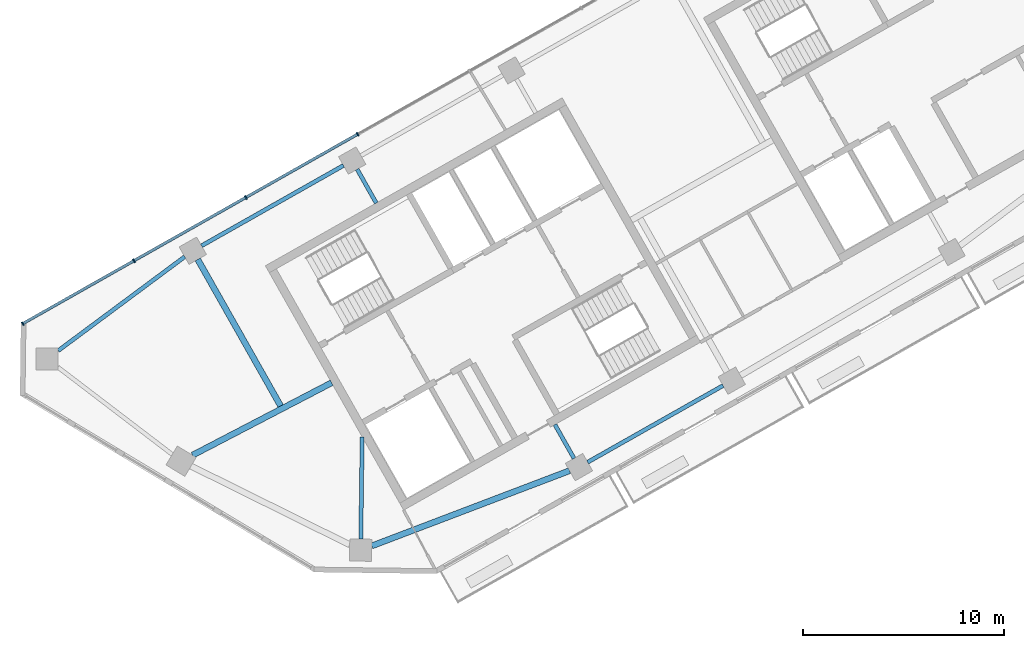
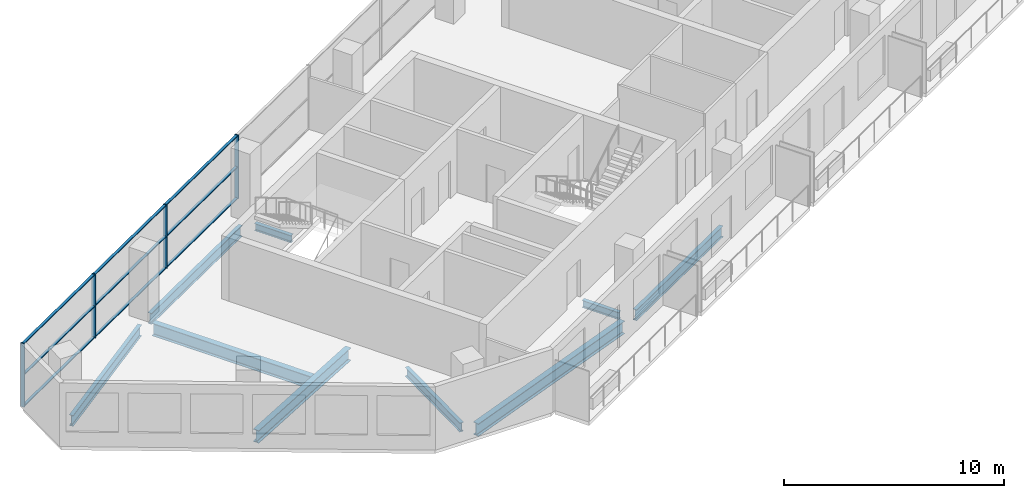
# One storey, part 2 of 10: 13 members, 9 beams, 1 element without a shape of its own.
"""IFC4 building model written with IfcOpenShell, lengths in metres."""

from ifc_helpers import new_model, si_unit, direction, frame, origin, origin_2d, place, context, subcontext, project, spatial, rectangle, i_section, extrude, material, material_profile, profile_set, type_object, element, aggregate, save


model = new_model("IFC4")

# Units and contexts
model_context = context("Model", 3, precision=1e-05, world=origin(), true_north=direction((0.0, 1.0)))
body_context = subcontext(model_context, "Body", "Model", "MODEL_VIEW")
ifc_project = project(units=[si_unit("LENGTHUNIT", "METRE"), si_unit("AREAUNIT", "SQUARE_METRE"), si_unit("VOLUMEUNIT", "CUBIC_METRE"), si_unit("PLANEANGLEUNIT", "RADIAN"), si_unit("MASSUNIT", "GRAM", prefix="KILO")], contexts=[model_context])

# Site, building, storey
site_placement = place(None, origin())
site = spatial("IfcSite", under=ifc_project, at=site_placement, CompositionType="ELEMENT")
building_placement = place(site_placement, origin())
building = spatial("IfcBuilding", under=site, at=building_placement, Name="Binnacle Exchange Tower", CompositionType="ELEMENT")
storey_placement = place(building_placement, frame((0.0, 0.0, 327.89990234375)))
storey = spatial("IfcBuildingStorey", under=building, at=storey_placement, Name="L74", CompositionType="ELEMENT", Elevation=327.89990234375)

# Curtain wall, members
ifc_material_1 = material(Name="Bronze anodised aluminium frame", Category="aluminium")
curtain_wall_type = type_object("IfcCurtainWallType", Name="External wall - curtain wall executive floors", PredefinedType="NOTDEFINED", material=ifc_material_1)
curtain_wall_placement = place(storey_placement, origin())
curtain_wall = element("IfcCurtainWall", 1, at=curtain_wall_placement, inside=storey, type_object=curtain_wall_type, Name="External wall curtain wall CW4-H03 L74", PredefinedType="NOTDEFINED")
ifc_material_profile_1 = material_profile(ifc_material_1, rectangle(XDim=0.199951171875, YDim=0.070068359375, at=origin_2d()), Name="AL 70x200")
ifc_profile_set_1 = profile_set([ifc_material_profile_1], Name="Bronze anodised aluminium frame")
member_type_1 = type_object("IfcMemberType", Name="CW4 MULLION 70x200", PredefinedType="MULLION", material=ifc_profile_set_1)
member_1_placement = place(storey_placement, frame((-42.0078125, 48.233154296875, 0.0), z_axis=(0.0, 0.0, 1.0), x_axis=(0.492423763019, -0.870355581136, 0.0)))
member_1 = element("IfcMember", 2, at=member_1_placement, type_object=member_type_1, Name="CW4-H03 mullion 8", PredefinedType="MULLION", context=body_context, shape_type="SweptSolid", body=[
    extrude(rectangle(XDim=0.199951171875, YDim=0.070068359375, at=origin_2d()), origin(), (0.0, 0.0, 1.0), 3.52001953125),
])
member_2_placement = place(storey_placement, frame((-47.58251953125, 45.0791015625, 0.0), z_axis=(0.0, 0.0, 1.0), x_axis=(0.492423763019, -0.870355581136, 0.0)))
member_2 = element("IfcMember", 3, at=member_2_placement, type_object=member_type_1, Name="CW4-H03 mullion 9", PredefinedType="MULLION", context=body_context, shape_type="SweptSolid", body=[
    extrude(rectangle(XDim=0.199951171875, YDim=0.070068359375, at=origin_2d()), origin(), (0.0, 0.0, 1.0), 3.52001953125),
])
member_3_placement = place(storey_placement, frame((-53.157470703125, 41.9248046875, 0.0), z_axis=(0.0, 0.0, 1.0), x_axis=(0.492423763019, -0.870355581136, 0.0)))
member_3 = element("IfcMember", 4, at=member_3_placement, type_object=member_type_1, Name="CW4-H03 mullion 10", PredefinedType="MULLION", context=body_context, shape_type="SweptSolid", body=[
    extrude(rectangle(XDim=0.199951171875, YDim=0.070068359375, at=origin_2d()), origin(), (0.0, 0.0, 1.0), 3.52001953125),
])
member_4_placement = place(storey_placement, frame((-58.701904296875, 38.7880859375, 0.0), z_axis=(0.0, 0.0, 1.0), x_axis=(0.492423763019, -0.870355581136, 0.0)))
member_4 = element("IfcMember", 5, at=member_4_placement, type_object=member_type_1, Name="CW4-H03 mullion 11", PredefinedType="MULLION", context=body_context, shape_type="SweptSolid", body=[
    extrude(rectangle(XDim=0.199951171875, YDim=0.070068359375, at=origin_2d()), origin(), (0.0, 0.0, 1.0), 3.52001953125),
])
ifc_material_profile_2 = material_profile(ifc_material_1, rectangle(XDim=0.139892578125, YDim=0.050048828125, at=origin_2d()), Name="AL 140x50")
ifc_profile_set_2 = profile_set([ifc_material_profile_2], Name="Bronze anodised aluminium frame")
member_type_2 = type_object("IfcMemberType", Name="CW4 TRANSOM 50x140", PredefinedType="USERDEFINED", material=ifc_profile_set_2)
member_5_placement = place(storey_placement, frame((-42.0380859375, 48.2158203125, 0.025146484375), z_axis=(-0.870355335808, -0.492424196633, 0.0), x_axis=(0.492424196633, -0.870355335808, 0.0)))
member_5 = element("IfcMember", 6, at=member_5_placement, type_object=member_type_2, Name="CW4-H03 transom 8.1", ObjectType="TRANSOM", PredefinedType="USERDEFINED", context=body_context, shape_type="SweptSolid", body=[
    extrude(rectangle(XDim=0.139892578125, YDim=0.050048828125, at=origin_2d()), origin(), (0.0, 0.0, 1.0), 6.335205078125),
])
member_6_placement = place(storey_placement, frame((-42.0380859375, 48.2158203125, 1.760009765625), z_axis=(-0.870355335808, -0.492424196633, 0.0), x_axis=(0.492424196633, -0.870355335808, 0.0)))
member_6 = element("IfcMember", 7, at=member_6_placement, type_object=member_type_2, Name="CW4-H03 transom 8.2", ObjectType="TRANSOM", PredefinedType="USERDEFINED", context=body_context, shape_type="SweptSolid", body=[
    extrude(rectangle(XDim=0.139892578125, YDim=0.050048828125, at=origin_2d()), origin(), (0.0, 0.0, 1.0), 6.335205078125),
])
member_7_placement = place(storey_placement, frame((-42.0380859375, 48.2158203125, 3.4951171875), z_axis=(-0.870355335808, -0.492424196633, 0.0), x_axis=(0.492424196633, -0.870355335808, 0.0)))
member_7 = element("IfcMember", 8, at=member_7_placement, type_object=member_type_2, Name="CW4-H03 transom 8.3", ObjectType="TRANSOM", PredefinedType="USERDEFINED", context=body_context, shape_type="SweptSolid", body=[
    extrude(rectangle(XDim=0.139892578125, YDim=0.050048828125, at=origin_2d()), origin(), (0.0, 0.0, 1.0), 6.335205078125),
])
member_8_placement = place(storey_placement, frame((-47.613037109375, 45.061767578125, 0.025146484375), z_axis=(-0.870355335808, -0.492424196633, 0.0), x_axis=(0.492424196633, -0.870355335808, 0.0)))
member_8 = element("IfcMember", 9, at=member_8_placement, type_object=member_type_2, Name="CW4-H03 transom 9.1", ObjectType="TRANSOM", PredefinedType="USERDEFINED", context=body_context, shape_type="SweptSolid", body=[
    extrude(rectangle(XDim=0.139892578125, YDim=0.050048828125, at=origin_2d()), origin(), (0.0, 0.0, 1.0), 6.335205078125),
])
member_9_placement = place(storey_placement, frame((-47.613037109375, 45.061767578125, 1.760009765625), z_axis=(-0.870355335808, -0.492424196633, 0.0), x_axis=(0.492424196633, -0.870355335808, 0.0)))
member_9 = element("IfcMember", 10, at=member_9_placement, type_object=member_type_2, Name="CW4-H03 transom 9.2", ObjectType="TRANSOM", PredefinedType="USERDEFINED", context=body_context, shape_type="SweptSolid", body=[
    extrude(rectangle(XDim=0.139892578125, YDim=0.050048828125, at=origin_2d()), origin(), (0.0, 0.0, 1.0), 6.335205078125),
])
member_10_placement = place(storey_placement, frame((-47.613037109375, 45.061767578125, 3.4951171875), z_axis=(-0.870355335808, -0.492424196633, 0.0), x_axis=(0.492424196633, -0.870355335808, 0.0)))
member_10 = element("IfcMember", 11, at=member_10_placement, type_object=member_type_2, Name="CW4-H03 transom 9.3", ObjectType="TRANSOM", PredefinedType="USERDEFINED", context=body_context, shape_type="SweptSolid", body=[
    extrude(rectangle(XDim=0.139892578125, YDim=0.050048828125, at=origin_2d()), origin(), (0.0, 0.0, 1.0), 6.335205078125),
])
member_11_placement = place(storey_placement, frame((-53.18798828125, 41.90771484375, 0.025146484375), z_axis=(-0.870343349272, -0.492445382126, 0.0), x_axis=(0.492445382126, -0.870343349272, 0.0)))
member_11 = element("IfcMember", 12, at=member_11_placement, type_object=member_type_2, Name="CW4-H03 transom 10.1", ObjectType="TRANSOM", PredefinedType="USERDEFINED", context=body_context, shape_type="SweptSolid", body=[
    extrude(rectangle(XDim=0.139892578125, YDim=0.050048828125, at=origin_2d()), origin(), (0.0, 0.0, 1.0), 6.30029296875),
])
member_12_placement = place(storey_placement, frame((-53.18798828125, 41.90771484375, 1.760009765625), z_axis=(-0.870343349272, -0.492445382126, 0.0), x_axis=(0.492445382126, -0.870343349272, 0.0)))
member_12 = element("IfcMember", 13, at=member_12_placement, type_object=member_type_2, Name="CW4-H03 transom 10.2", ObjectType="TRANSOM", PredefinedType="USERDEFINED", context=body_context, shape_type="SweptSolid", body=[
    extrude(rectangle(XDim=0.139892578125, YDim=0.050048828125, at=origin_2d()), origin(), (0.0, 0.0, 1.0), 6.30029296875),
])
member_13_placement = place(storey_placement, frame((-53.18798828125, 41.90771484375, 3.4951171875), z_axis=(-0.870343349272, -0.492445382126, 0.0), x_axis=(0.492445382126, -0.870343349272, 0.0)))
member_13 = element("IfcMember", 14, at=member_13_placement, type_object=member_type_2, Name="CW4-H03 transom 10.3", ObjectType="TRANSOM", PredefinedType="USERDEFINED", context=body_context, shape_type="SweptSolid", body=[
    extrude(rectangle(XDim=0.139892578125, YDim=0.050048828125, at=origin_2d()), origin(), (0.0, 0.0, 1.0), 6.30029296875),
])
aggregate(curtain_wall, [member_1, member_2, member_3, member_4, member_5, member_6, member_7, member_8, member_9, member_10, member_11, member_12, member_13])

# Beams
ifc_material_2 = material(Name="Steel S355 (SHN355)", Category="steel")
ifc_material_profile_3 = material_profile(ifc_material_2, i_section(OverallWidth=0.200927734375, OverallDepth=0.60595703125, WebThickness=0.011962890625, FlangeThickness=0.02001953125, FilletRadius=0.02197265625, at=origin_2d()), Name="H 606x201x12x20")
ifc_profile_set_3 = profile_set([ifc_material_profile_3], Name="Steel S355 (SHN355)")
beam_type_1 = type_object("IfcBeamType", Name="Edge girder H 606x201x12x20 Steel S355 (SHN355)", PredefinedType="SPANDREL", material=ifc_profile_set_3)
beam_1_placement = place(storey_placement, frame((-50.630615234375, 42.12255859375, -0.5830078125), z_axis=(-0.802881126557, -0.596139158769, 0.0), x_axis=(0.596139158769, -0.802881126557, 0.0)))
element("IfcBeam", 15, at=beam_1_placement, inside=storey, type_object=beam_type_1, Name="S:BM:edge:L74:005", PredefinedType="SPANDREL", context=body_context, shape_type="SweptSolid", body=[
    extrude(i_section(OverallWidth=0.200927734375, OverallDepth=0.60595703125, WebThickness=0.011962890625, FlangeThickness=0.02001953125, FilletRadius=0.02197265625, at=origin_2d()), origin(), (0.0, 0.0, 1.0), 7.855224609375),
])
beam_2_placement = place(storey_placement, frame((-30.540283203125, 31.881591796875, -0.5830078125), z_axis=(0.870358700717, 0.49241824914, 0.0), x_axis=(-0.49241824914, 0.870358700717, 0.0)))
element("IfcBeam", 16, at=beam_2_placement, inside=storey, type_object=beam_type_1, Name="S:BM:edge:L74:010", PredefinedType="SPANDREL", context=body_context, shape_type="SweptSolid", body=[
    extrude(i_section(OverallWidth=0.200927734375, OverallDepth=0.60595703125, WebThickness=0.011962890625, FlangeThickness=0.02001953125, FilletRadius=0.02197265625, at=origin_2d()), origin(), (0.0, 0.0, 1.0), 7.75439453125),
])
ifc_material_profile_4 = material_profile(ifc_material_2, i_section(OverallWidth=0.201904296875, OverallDepth=0.612060546875, WebThickness=0.012939453125, FlangeThickness=0.02294921875, FilletRadius=0.02197265625, at=origin_2d()), Name="H 612x202x13x23")
ifc_profile_set_4 = profile_set([ifc_material_profile_4], Name="Steel S355 (SHN355)")
beam_type_2 = type_object("IfcBeamType", Name="Edge girder H 612x202x13x23 Steel S355 (SHN355)", PredefinedType="SPANDREL", material=ifc_profile_set_4)
beam_3_placement = place(storey_placement, frame((-42.715087890625, 46.672607421875, -0.5859375), z_axis=(-0.870353024448, -0.49242828192, 0.0), x_axis=(0.49242828192, -0.870353024448, 0.0)))
element("IfcBeam", 17, at=beam_3_placement, inside=storey, type_object=beam_type_2, Name="S:BM:edge:L74:007", PredefinedType="SPANDREL", context=body_context, shape_type="SweptSolid", body=[
    extrude(i_section(OverallWidth=0.201904296875, OverallDepth=0.612060546875, WebThickness=0.012939453125, FlangeThickness=0.02294921875, FilletRadius=0.02197265625, at=origin_2d()), origin(), (0.0, 0.0, 1.0), 8.1298828125),
])
ifc_material_profile_5 = material_profile(ifc_material_2, i_section(OverallWidth=0.300048828125, OverallDepth=0.699951171875, WebThickness=0.012939453125, FlangeThickness=0.02392578125, FilletRadius=0.028076171875, at=origin_2d()), Name="H 700x300x13x24")
ifc_profile_set_5 = profile_set([ifc_material_profile_5], Name="Steel S355 (SHN355)")
beam_type_3 = type_object("IfcBeamType", Name="Edge girder H 700x300x13x24 Steel S355 (SHN355)", PredefinedType="SPANDREL", material=ifc_profile_set_5)
beam_4_placement = place(storey_placement, frame((-41.304931640625, 27.705078125, -0.6298828125), z_axis=(0.934635447744, 0.35560733938, 0.0), x_axis=(-0.35560733938, 0.934635447744, 0.0)))
element("IfcBeam", 18, at=beam_4_placement, inside=storey, type_object=beam_type_3, Name="S:BM:edge:L74:008", PredefinedType="SPANDREL", context=body_context, shape_type="SweptSolid", body=[
    extrude(i_section(OverallWidth=0.300048828125, OverallDepth=0.699951171875, WebThickness=0.012939453125, FlangeThickness=0.02392578125, FilletRadius=0.028076171875, at=origin_2d()), origin(), (0.0, 0.0, 1.0), 10.546142578125),
])
ifc_material_profile_6 = material_profile(ifc_material_2, i_section(OverallWidth=0.199951171875, OverallDepth=0.39990234375, WebThickness=0.008056640625, FlangeThickness=0.012939453125, FilletRadius=0.01611328125, at=origin_2d()), Name="H 400x200x8x13")
ifc_profile_set_6 = profile_set([ifc_material_profile_6], Name="Steel S355 (SHN355)")
beam_type_4 = type_object("IfcBeamType", Name="Floor beam H 400x200x8x13 Steel S355 (SHN355)", PredefinedType="BEAM", material=ifc_profile_set_6)
beam_5_placement = place(storey_placement, frame((-42.03369140625, 46.4833984375, -0.47998046875), z_axis=(0.492423244016, -0.870355874773, 0.0), x_axis=(0.870355874773, 0.492423244016, 0.0)))
element("IfcBeam", 19, at=beam_5_placement, inside=storey, type_object=beam_type_4, Name="S:BM:cross:L74:020", PredefinedType="BEAM", context=body_context, shape_type="SweptSolid", body=[
    extrude(i_section(OverallWidth=0.199951171875, OverallDepth=0.39990234375, WebThickness=0.008056640625, FlangeThickness=0.012939453125, FilletRadius=0.01611328125, at=origin_2d()), origin(), (0.0, 0.0, 1.0), 1.93408203125),
])
beam_6_placement = place(storey_placement, frame((-31.2216796875, 32.070556640625, -0.47998046875), z_axis=(-0.492518856771, 0.870301772792, 0.0), x_axis=(-0.870301772792, -0.492518856771, 0.0)))
element("IfcBeam", 20, at=beam_6_placement, inside=storey, type_object=beam_type_4, Name="S:BM:cross:L74:023", PredefinedType="BEAM", context=body_context, shape_type="SweptSolid", body=[
    extrude(i_section(OverallWidth=0.199951171875, OverallDepth=0.39990234375, WebThickness=0.008056640625, FlangeThickness=0.012939453125, FilletRadius=0.01611328125, at=origin_2d()), origin(), (0.0, 0.0, 1.0), 1.934326171875),
])
ifc_material_profile_7 = material_profile(ifc_material_2, i_section(OverallWidth=0.200927734375, OverallDepth=0.506103515625, WebThickness=0.010986328125, FlangeThickness=0.01904296875, FilletRadius=0.02001953125, at=origin_2d()), Name="H 506x201x11x19")
ifc_profile_set_7 = profile_set([ifc_material_profile_7], Name="Steel S355 (SHN355)")
beam_type_5 = type_object("IfcBeamType", Name="Floor beam H 506x201x11x19 Steel S355 (SHN355)", PredefinedType="BEAM", material=ifc_profile_set_7)
beam_7_placement = place(storey_placement, frame((-41.8505859375, 28.044921875, -0.532958984375), z_axis=(0.013115195493, 0.999913992125, 0.0), x_axis=(-0.999913992125, 0.013115195493, 0.0)))
element("IfcBeam", 21, at=beam_7_placement, inside=storey, type_object=beam_type_5, Name="S:BM:cross:L74:021", PredefinedType="BEAM", context=body_context, shape_type="SweptSolid", body=[
    extrude(i_section(OverallWidth=0.200927734375, OverallDepth=0.506103515625, WebThickness=0.010986328125, FlangeThickness=0.01904296875, FilletRadius=0.02001953125, at=origin_2d()), origin(), (0.0, 0.0, 1.0), 5.1005859375),
])
ifc_material_profile_8 = material_profile(ifc_material_2, i_section(OverallWidth=0.300048828125, OverallDepth=0.699951171875, WebThickness=0.012939453125, FlangeThickness=0.02392578125, FilletRadius=0.028076171875, at=origin_2d()), Name="H 700x300x13x24")
ifc_profile_set_8 = profile_set([ifc_material_profile_8], Name="Steel S355 (SHN355)")
beam_type_6 = type_object("IfcBeamType", Name="Floor beam H 700x300x13x24 Steel S355 (SHN355)", PredefinedType="BEAM", material=ifc_profile_set_8)
beam_8_placement = place(storey_placement, frame((-49.97998046875, 41.98779296875, -0.6298828125), z_axis=(0.492421517933, -0.870356851341, 0.0), x_axis=(0.870356851341, 0.492421517933, 0.0)))
element("IfcBeam", 22, at=beam_8_placement, inside=storey, type_object=beam_type_6, Name="S:BM:cross:L74:019", PredefinedType="BEAM", context=body_context, shape_type="SweptSolid", body=[
    extrude(i_section(OverallWidth=0.300048828125, OverallDepth=0.699951171875, WebThickness=0.012939453125, FlangeThickness=0.02392578125, FilletRadius=0.028076171875, at=origin_2d()), origin(), (0.0, 0.0, 1.0), 8.391357421875),
])
ifc_material_profile_9 = material_profile(ifc_material_2, i_section(OverallWidth=0.300048828125, OverallDepth=0.699951171875, WebThickness=0.012939453125, FlangeThickness=0.02392578125, FilletRadius=0.028076171875, at=origin_2d()), Name="H 700x300x13x24")
ifc_profile_set_9 = profile_set([ifc_material_profile_9], Name="Steel S355 (SHN355)")
beam_type_7 = type_object("IfcBeamType", Name="Spine girder H 700x300x13x24 Steel S355 (SHN355)", PredefinedType="BEAM", material=ifc_profile_set_9)
beam_9_placement = place(storey_placement, frame((-50.239990234375, 32.228759765625, -0.6298828125), z_axis=(0.886978864001, 0.461810020264, 0.0), x_axis=(-0.461810020264, 0.886978864001, 0.0)))
element("IfcBeam", 23, at=beam_9_placement, inside=storey, type_object=beam_type_7, Name="S:BM:spine:L74:001", PredefinedType="BEAM", context=body_context, shape_type="SweptSolid", body=[
    extrude(i_section(OverallWidth=0.300048828125, OverallDepth=0.699951171875, WebThickness=0.012939453125, FlangeThickness=0.02392578125, FilletRadius=0.028076171875, at=origin_2d()), origin(), (0.0, 0.0, 1.0), 7.815673828125),
])

save(model, "model.ifc")
